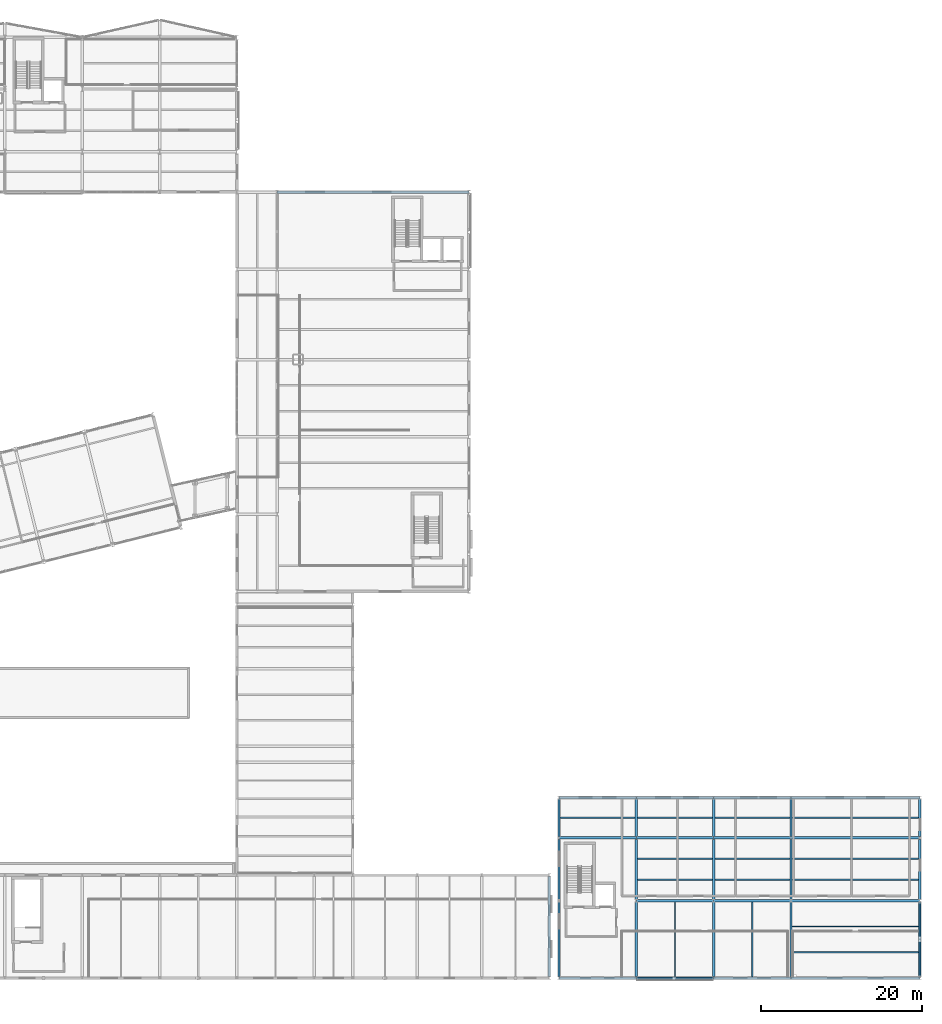
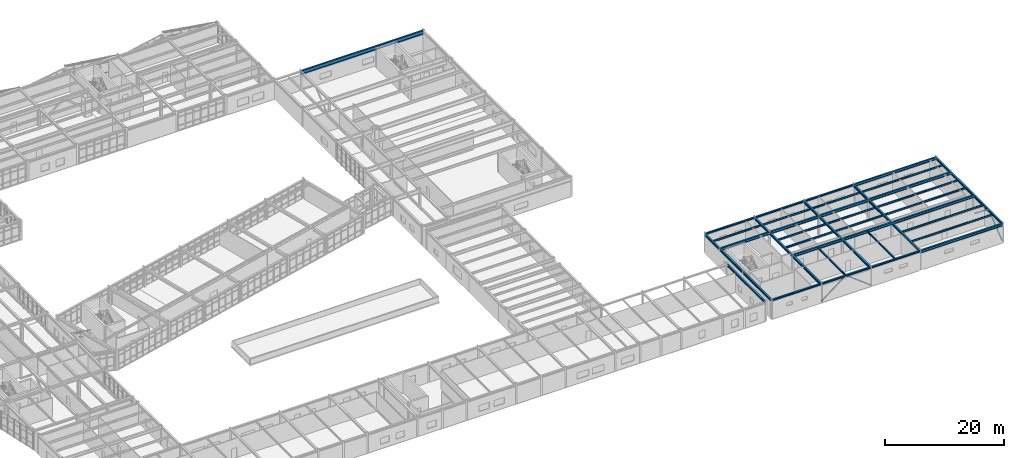
# One storey, part 56 of 99: 46 beams, 4 members.
"""IFC4 building model written with IfcOpenShell, lengths in metres."""

from ifc_helpers import new_model, si_unit, direction, frame, origin, origin_2d, place, context, subcontext, project, spatial, hollow_circle, i_section, extrude, material, material_profile, profile_set, type_object, element, save


model = new_model("IFC4")

# Units and contexts
model_context = context("Model", 3, precision=1e-05, world=origin(), true_north=direction((0.0, 1.0)))
body_context = subcontext(model_context, "Body", "Model", "MODEL_VIEW")
ifc_project = project(units=[si_unit("LENGTHUNIT", "METRE"), si_unit("AREAUNIT", "SQUARE_METRE"), si_unit("VOLUMEUNIT", "CUBIC_METRE"), si_unit("PLANEANGLEUNIT", "RADIAN"), si_unit("MASSUNIT", "GRAM", prefix="KILO")], contexts=[model_context])

# Site, building, storey
site_placement = place(None, origin())
site = spatial("IfcSite", under=ifc_project, at=site_placement, CompositionType="ELEMENT")
building_placement = place(site_placement, origin())
building = spatial("IfcBuilding", under=site, at=building_placement, Name="Nordkorset Police Headquarters", CompositionType="ELEMENT")
storey_placement = place(building_placement, frame((0.0, 0.0, 5.25)))
storey = spatial("IfcBuildingStorey", under=building, at=storey_placement, Name="L01", CompositionType="ELEMENT", Elevation=5.25)

# Beams
ifc_material_1 = material(Name="Steel S355J2", Category="steel")
ifc_material_profile_1 = material_profile(ifc_material_1, i_section(OverallWidth=0.169921875, OverallDepth=0.360107421875, WebThickness=0.008056640625, FlangeThickness=0.0126953125, FilletRadius=0.01806640625, at=origin_2d()), Name="IPE 360")
ifc_profile_set_1 = profile_set([ifc_material_profile_1], Name="Steel S355J2")
beam_type_1 = type_object("IfcBeamType", Name="Beam_IPE_360", PredefinedType="BEAM", material=ifc_profile_set_1)
for number, where, z_axis, x_axis, name in (
    (1, (126.550048828125, 19.89990234375, 3.784912109375), (1.0, 0.0, 0.0), (0.0, 1.0, 0.0), "Composite Floor Beam V6 L01 0-2-1"),
    (2, (140.800048828125, 0.14990234375, 3.780029296875), (0.0, 1.0, 0.0), (-1.0, 0.0, 0.0), "Composite Floor Beam V6 L01 1-0-1"),
    (3, (136.14990234375, 12.199951171875, 3.780029296875), (1.0, 0.0, 0.0), (0.0, 1.0, 0.0), "Composite Floor Beam V6 L01 1-1-1"),
    (4, (136.14990234375, 14.800048828125, 3.780029296875), (1.0, 0.0, 0.0), (0.0, 1.0, 0.0), "Composite Floor Beam V6 L01 1-1-2"),
    (5, (136.14990234375, 19.89990234375, 3.784912109375), (1.0, 0.0, 0.0), (0.0, 1.0, 0.0), "Composite Floor Beam V6 L01 1-2-1"),
    (6, (150.39990234375, 0.14990234375, 3.780029296875), (0.0, 1.0, 0.0), (-1.0, 0.0, 0.0), "Composite Floor Beam V6 L01 2-0-1"),
    (7, (145.75, 12.199951171875, 3.780029296875), (1.0, 0.0, 0.0), (0.0, 1.0, 0.0), "Composite Floor Beam V6 L01 2-1-1"),
    (8, (145.75, 14.800048828125, 3.780029296875), (1.0, 0.0, 0.0), (0.0, 1.0, 0.0), "Composite Floor Beam V6 L01 2-1-2"),
    (9, (145.75, 19.89990234375, 3.784912109375), (1.0, 0.0, 0.0), (0.0, 1.0, 0.0), "Composite Floor Beam V6 L01 2-2-1"),
):
    element("IfcBeam", number, at=place(storey_placement, frame(where, z_axis=z_axis, x_axis=x_axis)), inside=storey, type_object=beam_type_1, Name=name, PredefinedType="BEAM", context=body_context, shape_type="SweptSolid", body=[
        extrude(i_section(OverallWidth=0.169921875, OverallDepth=0.360107421875, WebThickness=0.008056640625, FlangeThickness=0.0126953125, FilletRadius=0.01806640625, at=origin_2d()), origin(), (0.0, 0.0, 1.0), 9.300048828125),
    ])
for number, where, z_axis, x_axis, name in (
    (10, (155.35009765625, 3.199951171875, 3.780029296875), (1.0, 0.0, 0.0), (0.0, 1.0, 0.0), "Composite Floor Beam V6 L01 3-0-1"),
    (11, (155.35009765625, 6.39990234375, 3.780029296875), (1.0, 0.0, 0.0), (0.0, 1.0, 0.0), "Composite Floor Beam V6 L01 3-0-2"),
    (12, (155.35009765625, 12.199951171875, 3.780029296875), (1.0, 0.0, 0.0), (0.0, 1.0, 0.0), "Composite Floor Beam V6 L01 3-1-1"),
    (13, (155.35009765625, 14.800048828125, 3.780029296875), (1.0, 0.0, 0.0), (0.0, 1.0, 0.0), "Composite Floor Beam V6 L01 3-1-2"),
    (14, (155.35009765625, 19.89990234375, 3.784912109375), (1.0, 0.0, 0.0), (0.0, 1.0, 0.0), "Composite Floor Beam V6 L01 3-2-1"),
):
    element("IfcBeam", number, at=place(storey_placement, frame(where, z_axis=z_axis, x_axis=x_axis)), inside=storey, type_object=beam_type_1, Name=name, PredefinedType="BEAM", context=body_context, shape_type="SweptSolid", body=[
        extrude(i_section(OverallWidth=0.169921875, OverallDepth=0.360107421875, WebThickness=0.008056640625, FlangeThickness=0.0126953125, FilletRadius=0.01806640625, at=origin_2d()), origin(), (0.0, 0.0, 1.0), 15.699951171875),
    ])

# Members
ifc_material_2 = material(Name="Steel S355J2", Category="steel")
ifc_material_profile_2 = material_profile(ifc_material_2, hollow_circle(Radius=0.136474609375, WallThickness=0.012451171875, at=origin_2d()), Name="CHS 273x12.5")
ifc_profile_set_2 = profile_set([ifc_material_profile_2], Name="Steel S355J2")
member_type = type_object("IfcMemberType", Name="Brace_CHS_273x12.5", PredefinedType="BRACE", material=ifc_profile_set_2)
for number, where, z_axis, x_axis, name in (
    (15, (136.006103515625, 0.0, 0.199951171875), (0.793388064902, 0.0, 0.608716172342), (0.0, 1.0, 0.0), "Lateral Chevron Brace BF-EXT-V6S L01 D1"),
    (16, (145.593994140625, 0.0, 0.199951171875), (-0.793388064902, 0.0, 0.608716172342), (0.0, -1.0, 0.0), "Lateral Chevron Brace BF-EXT-V6S L01 D2"),
):
    element("IfcMember", number, at=place(storey_placement, frame(where, z_axis=z_axis, x_axis=x_axis)), inside=storey, type_object=member_type, Name=name, PredefinedType="BRACE", context=body_context, shape_type="SweptSolid", body=[
        extrude(hollow_circle(Radius=0.136474609375, WallThickness=0.012451171875, at=origin_2d()), origin(), (0.0, 0.0, 1.0), 5.815673828125),
    ])
member_1_placement = place(storey_placement, frame((171.199951171875, 0.169921875, 0.199951171875), z_axis=(0.0, 0.782591546511, 0.622535518127), x_axis=(-1.0, 0.0, 0.0)))
element("IfcMember", 17, at=member_1_placement, inside=storey, type_object=member_type, Name="Lateral Chevron Brace BF-EXT-V6E L01 D1", PredefinedType="BRACE", context=body_context, shape_type="SweptSolid", body=[
    extrude(hollow_circle(Radius=0.136474609375, WallThickness=0.012451171875, at=origin_2d()), origin(), (0.0, 0.0, 1.0), 5.6865234375),
])
member_2_placement = place(storey_placement, frame((171.199951171875, 9.429931640625, 0.199951171875), z_axis=(0.0, -0.782574906781, 0.622556435416), x_axis=(1.0, 0.0, 0.0)))
element("IfcMember", 18, at=member_2_placement, inside=storey, type_object=member_type, Name="Lateral Chevron Brace BF-EXT-V6E L01 D2", PredefinedType="BRACE", context=body_context, shape_type="SweptSolid", body=[
    extrude(hollow_circle(Radius=0.136474609375, WallThickness=0.012451171875, at=origin_2d()), origin(), (0.0, 0.0, 1.0), 5.686279296875),
])

# Beams
ifc_material_3 = material(Name="Steel S355J2", Category="steel")
ifc_material_profile_3 = material_profile(ifc_material_3, i_section(OverallWidth=0.300048828125, OverallDepth=0.389892578125, WebThickness=0.010986328125, FlangeThickness=0.01904296875, FilletRadius=0.027099609375, at=origin_2d()), Name="HEA 400")
ifc_profile_set_3 = profile_set([ifc_material_profile_3], Name="Steel S355J2")
beam_type_2 = type_object("IfcBeamType", Name="Girder_HEA_400", PredefinedType="USERDEFINED", material=ifc_profile_set_3)
beam_1_placement = place(storey_placement, frame((125.199951171875, 0.169921875, 3.77001953125), z_axis=(0.0, 1.0, 0.0), x_axis=(-1.0, 0.0, 0.0)))
element("IfcBeam", 19, at=beam_1_placement, inside=storey, type_object=beam_type_2, Name="Girder V7S L01 GY-14-0", ObjectType="GIRDER", PredefinedType="USERDEFINED", context=body_context, shape_type="SweptSolid", body=[
    extrude(i_section(OverallWidth=0.300048828125, OverallDepth=0.389892578125, WebThickness=0.010986328125, FlangeThickness=0.01904296875, FilletRadius=0.027099609375, at=origin_2d()), origin(), (0.0, 0.0, 1.0), 12.4599609375),
])
ifc_material_4 = material(Name="Steel S355J2", Category="steel")
ifc_material_profile_4 = material_profile(ifc_material_4, i_section(OverallWidth=0.300048828125, OverallDepth=0.43994140625, WebThickness=0.011474609375, FlangeThickness=0.02099609375, FilletRadius=0.027099609375, at=origin_2d()), Name="HEA 450")
ifc_profile_set_4 = profile_set([ifc_material_profile_4], Name="Steel S355J2")
beam_type_3 = type_object("IfcBeamType", Name="Girder_HEA_450", PredefinedType="USERDEFINED", material=ifc_profile_set_4)
beam_2_placement = place(storey_placement, frame((126.39990234375, 0.169921875, 3.739990234375), z_axis=(0.0, 1.0, 0.0), x_axis=(-1.0, 0.0, 0.0)))
element("IfcBeam", 20, at=beam_2_placement, inside=storey, type_object=beam_type_3, Name="Girder V6 L01 GY-0-0", ObjectType="GIRDER", PredefinedType="USERDEFINED", context=body_context, shape_type="SweptSolid", body=[
    extrude(i_section(OverallWidth=0.300048828125, OverallDepth=0.43994140625, WebThickness=0.011474609375, FlangeThickness=0.02099609375, FilletRadius=0.027099609375, at=origin_2d()), origin(), (0.0, 0.0, 1.0), 9.260009765625),
])
beam_3_placement = place(storey_placement, frame((126.39990234375, 9.77001953125, 3.739990234375), z_axis=(0.0, 1.0, 0.0), x_axis=(-1.0, 0.0, 0.0)))
element("IfcBeam", 21, at=beam_3_placement, inside=storey, type_object=beam_type_3, Name="Girder V6 L01 GY-0-1", ObjectType="GIRDER", PredefinedType="USERDEFINED", context=body_context, shape_type="SweptSolid", body=[
    extrude(i_section(OverallWidth=0.300048828125, OverallDepth=0.43994140625, WebThickness=0.011474609375, FlangeThickness=0.02099609375, FilletRadius=0.027099609375, at=origin_2d()), origin(), (0.0, 0.0, 1.0), 7.4599609375),
])
beam_4_placement = place(storey_placement, frame((126.39990234375, 17.570068359375, 3.7451171875), z_axis=(0.0, 1.0, 0.0), x_axis=(-1.0, 0.0, 0.0)))
element("IfcBeam", 22, at=beam_4_placement, inside=storey, type_object=beam_type_3, Name="Girder V6 L01 GY-0-2", ObjectType="GIRDER", PredefinedType="USERDEFINED", context=body_context, shape_type="SweptSolid", body=[
    extrude(i_section(OverallWidth=0.300048828125, OverallDepth=0.43994140625, WebThickness=0.011474609375, FlangeThickness=0.02099609375, FilletRadius=0.027099609375, at=origin_2d()), origin(), (0.0, 0.0, 1.0), 4.659912109375),
])
beam_5_placement = place(storey_placement, frame((136.0, 0.169921875, 3.739990234375), z_axis=(0.0, 1.0, 0.0), x_axis=(-1.0, 0.0, 0.0)))
element("IfcBeam", 23, at=beam_5_placement, inside=storey, type_object=beam_type_3, Name="Girder V6 L01 GY-1-0", ObjectType="GIRDER", PredefinedType="USERDEFINED", context=body_context, shape_type="SweptSolid", body=[
    extrude(i_section(OverallWidth=0.300048828125, OverallDepth=0.43994140625, WebThickness=0.011474609375, FlangeThickness=0.02099609375, FilletRadius=0.027099609375, at=origin_2d()), origin(), (0.0, 0.0, 1.0), 9.260009765625),
])
beam_6_placement = place(storey_placement, frame((136.0, 9.77001953125, 3.739990234375), z_axis=(0.0, 1.0, 0.0), x_axis=(-1.0, 0.0, 0.0)))
element("IfcBeam", 24, at=beam_6_placement, inside=storey, type_object=beam_type_3, Name="Girder V6 L01 GY-1-1", ObjectType="GIRDER", PredefinedType="USERDEFINED", context=body_context, shape_type="SweptSolid", body=[
    extrude(i_section(OverallWidth=0.300048828125, OverallDepth=0.43994140625, WebThickness=0.011474609375, FlangeThickness=0.02099609375, FilletRadius=0.027099609375, at=origin_2d()), origin(), (0.0, 0.0, 1.0), 7.4599609375),
])
beam_7_placement = place(storey_placement, frame((136.0, 17.570068359375, 3.7451171875), z_axis=(0.0, 1.0, 0.0), x_axis=(-1.0, 0.0, 0.0)))
element("IfcBeam", 25, at=beam_7_placement, inside=storey, type_object=beam_type_3, Name="Girder V6 L01 GY-1-2", ObjectType="GIRDER", PredefinedType="USERDEFINED", context=body_context, shape_type="SweptSolid", body=[
    extrude(i_section(OverallWidth=0.300048828125, OverallDepth=0.43994140625, WebThickness=0.011474609375, FlangeThickness=0.02099609375, FilletRadius=0.027099609375, at=origin_2d()), origin(), (0.0, 0.0, 1.0), 4.659912109375),
])
beam_8_placement = place(storey_placement, frame((145.60009765625, 0.169921875, 3.739990234375), z_axis=(0.0, 1.0, 0.0), x_axis=(-1.0, 0.0, 0.0)))
element("IfcBeam", 26, at=beam_8_placement, inside=storey, type_object=beam_type_3, Name="Girder V6 L01 GY-2-0", ObjectType="GIRDER", PredefinedType="USERDEFINED", context=body_context, shape_type="SweptSolid", body=[
    extrude(i_section(OverallWidth=0.300048828125, OverallDepth=0.43994140625, WebThickness=0.011474609375, FlangeThickness=0.02099609375, FilletRadius=0.027099609375, at=origin_2d()), origin(), (0.0, 0.0, 1.0), 9.260009765625),
])
beam_9_placement = place(storey_placement, frame((145.60009765625, 9.77001953125, 3.739990234375), z_axis=(0.0, 1.0, 0.0), x_axis=(-1.0, 0.0, 0.0)))
element("IfcBeam", 27, at=beam_9_placement, inside=storey, type_object=beam_type_3, Name="Girder V6 L01 GY-2-1", ObjectType="GIRDER", PredefinedType="USERDEFINED", context=body_context, shape_type="SweptSolid", body=[
    extrude(i_section(OverallWidth=0.300048828125, OverallDepth=0.43994140625, WebThickness=0.011474609375, FlangeThickness=0.02099609375, FilletRadius=0.027099609375, at=origin_2d()), origin(), (0.0, 0.0, 1.0), 7.4599609375),
])
beam_10_placement = place(storey_placement, frame((145.60009765625, 17.570068359375, 3.7451171875), z_axis=(0.0, 1.0, 0.0), x_axis=(-1.0, 0.0, 0.0)))
element("IfcBeam", 28, at=beam_10_placement, inside=storey, type_object=beam_type_3, Name="Girder V6 L01 GY-2-2", ObjectType="GIRDER", PredefinedType="USERDEFINED", context=body_context, shape_type="SweptSolid", body=[
    extrude(i_section(OverallWidth=0.300048828125, OverallDepth=0.43994140625, WebThickness=0.011474609375, FlangeThickness=0.02099609375, FilletRadius=0.027099609375, at=origin_2d()), origin(), (0.0, 0.0, 1.0), 4.659912109375),
])
beam_11_placement = place(storey_placement, frame((155.199951171875, 0.169921875, 3.739990234375), z_axis=(0.0, 1.0, 0.0), x_axis=(-1.0, 0.0, 0.0)))
element("IfcBeam", 29, at=beam_11_placement, inside=storey, type_object=beam_type_3, Name="Girder V6 L01 GY-3-0", ObjectType="GIRDER", PredefinedType="USERDEFINED", context=body_context, shape_type="SweptSolid", body=[
    extrude(i_section(OverallWidth=0.300048828125, OverallDepth=0.43994140625, WebThickness=0.011474609375, FlangeThickness=0.02099609375, FilletRadius=0.027099609375, at=origin_2d()), origin(), (0.0, 0.0, 1.0), 9.260009765625),
])
beam_12_placement = place(storey_placement, frame((155.199951171875, 9.77001953125, 3.739990234375), z_axis=(0.0, 1.0, 0.0), x_axis=(-1.0, 0.0, 0.0)))
element("IfcBeam", 30, at=beam_12_placement, inside=storey, type_object=beam_type_3, Name="Girder V6 L01 GY-3-1", ObjectType="GIRDER", PredefinedType="USERDEFINED", context=body_context, shape_type="SweptSolid", body=[
    extrude(i_section(OverallWidth=0.300048828125, OverallDepth=0.43994140625, WebThickness=0.011474609375, FlangeThickness=0.02099609375, FilletRadius=0.027099609375, at=origin_2d()), origin(), (0.0, 0.0, 1.0), 7.4599609375),
])
beam_13_placement = place(storey_placement, frame((155.199951171875, 17.570068359375, 3.7451171875), z_axis=(0.0, 1.0, 0.0), x_axis=(-1.0, 0.0, 0.0)))
element("IfcBeam", 31, at=beam_13_placement, inside=storey, type_object=beam_type_3, Name="Girder V6 L01 GY-3-2", ObjectType="GIRDER", PredefinedType="USERDEFINED", context=body_context, shape_type="SweptSolid", body=[
    extrude(i_section(OverallWidth=0.300048828125, OverallDepth=0.43994140625, WebThickness=0.011474609375, FlangeThickness=0.02099609375, FilletRadius=0.027099609375, at=origin_2d()), origin(), (0.0, 0.0, 1.0), 4.659912109375),
])
beam_14_placement = place(storey_placement, frame((171.199951171875, 0.169921875, 3.739990234375), z_axis=(0.0, 1.0, 0.0), x_axis=(-1.0, 0.0, 0.0)))
element("IfcBeam", 32, at=beam_14_placement, inside=storey, type_object=beam_type_3, Name="Girder V6 L01 GY-4-0", ObjectType="GIRDER", PredefinedType="USERDEFINED", context=body_context, shape_type="SweptSolid", body=[
    extrude(i_section(OverallWidth=0.300048828125, OverallDepth=0.43994140625, WebThickness=0.011474609375, FlangeThickness=0.02099609375, FilletRadius=0.027099609375, at=origin_2d()), origin(), (0.0, 0.0, 1.0), 9.260009765625),
])
beam_15_placement = place(storey_placement, frame((171.199951171875, 9.77001953125, 3.739990234375), z_axis=(0.0, 1.0, 0.0), x_axis=(-1.0, 0.0, 0.0)))
element("IfcBeam", 33, at=beam_15_placement, inside=storey, type_object=beam_type_3, Name="Girder V6 L01 GY-4-1", ObjectType="GIRDER", PredefinedType="USERDEFINED", context=body_context, shape_type="SweptSolid", body=[
    extrude(i_section(OverallWidth=0.300048828125, OverallDepth=0.43994140625, WebThickness=0.011474609375, FlangeThickness=0.02099609375, FilletRadius=0.027099609375, at=origin_2d()), origin(), (0.0, 0.0, 1.0), 7.4599609375),
])
beam_16_placement = place(storey_placement, frame((171.199951171875, 17.570068359375, 3.7451171875), z_axis=(0.0, 1.0, 0.0), x_axis=(-1.0, 0.0, 0.0)))
element("IfcBeam", 34, at=beam_16_placement, inside=storey, type_object=beam_type_3, Name="Girder V6 L01 GY-4-2", ObjectType="GIRDER", PredefinedType="USERDEFINED", context=body_context, shape_type="SweptSolid", body=[
    extrude(i_section(OverallWidth=0.300048828125, OverallDepth=0.43994140625, WebThickness=0.011474609375, FlangeThickness=0.02099609375, FilletRadius=0.027099609375, at=origin_2d()), origin(), (0.0, 0.0, 1.0), 4.659912109375),
])
ifc_material_5 = material(Name="Steel S355J2", Category="steel")
ifc_material_profile_5 = material_profile(ifc_material_5, i_section(OverallWidth=0.300048828125, OverallDepth=0.5400390625, WebThickness=0.012451171875, FlangeThickness=0.02392578125, FilletRadius=0.027099609375, at=origin_2d()), Name="HEA 550")
ifc_profile_set_5 = profile_set([ifc_material_profile_5], Name="Steel S355J2")
beam_type_4 = type_object("IfcBeamType", Name="Girder_HEA_550", PredefinedType="USERDEFINED", material=ifc_profile_set_5)
beam_17_placement = place(storey_placement, frame((155.2060546875, 0.0, 3.68994140625), z_axis=(1.0, 0.0, 0.0), x_axis=(0.0, 1.0, 0.0)))
element("IfcBeam", 35, at=beam_17_placement, inside=storey, type_object=beam_type_4, Name="Girder V6 L01 GX-0-3", ObjectType="GIRDER", PredefinedType="USERDEFINED", context=body_context, shape_type="SweptSolid", body=[
    extrude(i_section(OverallWidth=0.300048828125, OverallDepth=0.5400390625, WebThickness=0.012451171875, FlangeThickness=0.02392578125, FilletRadius=0.027099609375, at=origin_2d()), origin(), (0.0, 0.0, 1.0), 15.988037109375),
])
beam_18_placement = place(storey_placement, frame((136.006103515625, 9.60009765625, 3.68994140625), z_axis=(1.0, 0.0, 0.0), x_axis=(0.0, 1.0, 0.0)))
element("IfcBeam", 36, at=beam_18_placement, inside=storey, type_object=beam_type_4, Name="Girder V6 L01 GX-1-1", ObjectType="GIRDER", PredefinedType="USERDEFINED", context=body_context, shape_type="SweptSolid", body=[
    extrude(i_section(OverallWidth=0.300048828125, OverallDepth=0.5400390625, WebThickness=0.012451171875, FlangeThickness=0.02392578125, FilletRadius=0.027099609375, at=origin_2d()), origin(), (0.0, 0.0, 1.0), 9.587890625),
])
beam_19_placement = place(storey_placement, frame((145.60595703125, 9.60009765625, 3.68994140625), z_axis=(1.0, 0.0, 0.0), x_axis=(0.0, 1.0, 0.0)))
element("IfcBeam", 37, at=beam_19_placement, inside=storey, type_object=beam_type_4, Name="Girder V6 L01 GX-1-2", ObjectType="GIRDER", PredefinedType="USERDEFINED", context=body_context, shape_type="SweptSolid", body=[
    extrude(i_section(OverallWidth=0.300048828125, OverallDepth=0.5400390625, WebThickness=0.012451171875, FlangeThickness=0.02392578125, FilletRadius=0.027099609375, at=origin_2d()), origin(), (0.0, 0.0, 1.0), 9.588134765625),
])
beam_20_placement = place(storey_placement, frame((155.2060546875, 9.60009765625, 3.68994140625), z_axis=(1.0, 0.0, 0.0), x_axis=(0.0, 1.0, 0.0)))
element("IfcBeam", 38, at=beam_20_placement, inside=storey, type_object=beam_type_4, Name="Girder V6 L01 GX-1-3", ObjectType="GIRDER", PredefinedType="USERDEFINED", context=body_context, shape_type="SweptSolid", body=[
    extrude(i_section(OverallWidth=0.300048828125, OverallDepth=0.5400390625, WebThickness=0.012451171875, FlangeThickness=0.02392578125, FilletRadius=0.027099609375, at=origin_2d()), origin(), (0.0, 0.0, 1.0), 15.988037109375),
])
for number, where, z_axis, x_axis, name in (
    (39, (126.406005859375, 17.39990234375, 3.68994140625), (1.0, 0.0, 0.0), (0.0, 1.0, 0.0), "Girder V6 L01 GX-2-0"),
    (40, (136.006103515625, 17.39990234375, 3.68994140625), (1.0, 0.0, 0.0), (0.0, 1.0, 0.0), "Girder V6 L01 GX-2-1"),
):
    element("IfcBeam", number, at=place(storey_placement, frame(where, z_axis=z_axis, x_axis=x_axis)), inside=storey, type_object=beam_type_4, Name=name, ObjectType="GIRDER", PredefinedType="USERDEFINED", context=body_context, shape_type="SweptSolid", body=[
        extrude(i_section(OverallWidth=0.300048828125, OverallDepth=0.5400390625, WebThickness=0.012451171875, FlangeThickness=0.02392578125, FilletRadius=0.027099609375, at=origin_2d()), origin(), (0.0, 0.0, 1.0), 9.587890625),
    ])
beam_21_placement = place(storey_placement, frame((145.60595703125, 17.39990234375, 3.68994140625), z_axis=(1.0, 0.0, 0.0), x_axis=(0.0, 1.0, 0.0)))
element("IfcBeam", 41, at=beam_21_placement, inside=storey, type_object=beam_type_4, Name="Girder V6 L01 GX-2-2", ObjectType="GIRDER", PredefinedType="USERDEFINED", context=body_context, shape_type="SweptSolid", body=[
    extrude(i_section(OverallWidth=0.300048828125, OverallDepth=0.5400390625, WebThickness=0.012451171875, FlangeThickness=0.02392578125, FilletRadius=0.027099609375, at=origin_2d()), origin(), (0.0, 0.0, 1.0), 9.588134765625),
])
for number, where, z_axis, x_axis, name in (
    (42, (155.2060546875, 17.39990234375, 3.68994140625), (1.0, 0.0, 0.0), (0.0, 1.0, 0.0), "Girder V6 L01 GX-2-3"),
    (43, (155.2060546875, 22.39990234375, 3.695068359375), (1.0, 0.0, 0.0), (0.0, 1.0, 0.0), "Girder V6 L01 GX-3-3"),
):
    element("IfcBeam", number, at=place(storey_placement, frame(where, z_axis=z_axis, x_axis=x_axis)), inside=storey, type_object=beam_type_4, Name=name, ObjectType="GIRDER", PredefinedType="USERDEFINED", context=body_context, shape_type="SweptSolid", body=[
        extrude(i_section(OverallWidth=0.300048828125, OverallDepth=0.5400390625, WebThickness=0.012451171875, FlangeThickness=0.02392578125, FilletRadius=0.027099609375, at=origin_2d()), origin(), (0.0, 0.0, 1.0), 15.988037109375),
    ])
ifc_material_6 = material(Name="Steel S355J2", Category="steel")
ifc_material_profile_6 = material_profile(ifc_material_6, i_section(OverallWidth=0.300048828125, OverallDepth=0.800048828125, WebThickness=0.017578125, FlangeThickness=0.032958984375, FilletRadius=0.030029296875, at=origin_2d()), Name="HEB 800")
ifc_profile_set_6 = profile_set([ifc_material_profile_6], Name="Steel S355J2")
beam_type_5 = type_object("IfcBeamType", Name="Girder_HEB_800", PredefinedType="USERDEFINED", material=ifc_profile_set_6)
beam_22_placement = place(storey_placement, frame((91.40673828125, 97.60009765625, 3.56005859375), z_axis=(1.0, 0.0, 0.0), x_axis=(0.0, 1.0, 0.0)))
element("IfcBeam", 44, at=beam_22_placement, inside=storey, type_object=beam_type_5, Name="Girder V5 L01 GX-5-1", ObjectType="GIRDER", PredefinedType="USERDEFINED", context=body_context, shape_type="SweptSolid", body=[
    extrude(i_section(OverallWidth=0.300048828125, OverallDepth=0.800048828125, WebThickness=0.017578125, FlangeThickness=0.032958984375, FilletRadius=0.030029296875, at=origin_2d()), origin(), (0.0, 0.0, 1.0), 23.78662109375),
])
ifc_material_7 = material(Name="Steel S355J2", Category="steel")
ifc_material_profile_7 = material_profile(ifc_material_7, i_section(OverallWidth=0.300048828125, OverallDepth=0.31005859375, WebThickness=0.009033203125, FlangeThickness=0.015380859375, FilletRadius=0.027099609375, at=origin_2d()), Name="HEA 320")
ifc_profile_set_7 = profile_set([ifc_material_profile_7], Name="Steel S355J2")
beam_type_6 = type_object("IfcBeamType", Name="Spandrel_HEA_320", PredefinedType="SPANDREL", material=ifc_profile_set_7)
for number, where, z_axis, x_axis, name in (
    (45, (126.406005859375, 0.0, 3.804931640625), (1.0, 0.0, 0.0), (0.0, 1.0, 0.0), "Girder V6 L01 GX-0-0"),
    (46, (136.006103515625, 0.0, 3.804931640625), (1.0, 0.0, 0.0), (0.0, 1.0, 0.0), "Girder V6 L01 GX-0-1"),
):
    element("IfcBeam", number, at=place(storey_placement, frame(where, z_axis=z_axis, x_axis=x_axis)), inside=storey, type_object=beam_type_6, Name=name, PredefinedType="SPANDREL", context=body_context, shape_type="SweptSolid", body=[
        extrude(i_section(OverallWidth=0.300048828125, OverallDepth=0.31005859375, WebThickness=0.009033203125, FlangeThickness=0.015380859375, FilletRadius=0.027099609375, at=origin_2d()), origin(), (0.0, 0.0, 1.0), 9.587890625),
    ])
beam_23_placement = place(storey_placement, frame((145.60595703125, 0.0, 3.804931640625), z_axis=(1.0, 0.0, 0.0), x_axis=(0.0, 1.0, 0.0)))
element("IfcBeam", 47, at=beam_23_placement, inside=storey, type_object=beam_type_6, Name="Girder V6 L01 GX-0-2", PredefinedType="SPANDREL", context=body_context, shape_type="SweptSolid", body=[
    extrude(i_section(OverallWidth=0.300048828125, OverallDepth=0.31005859375, WebThickness=0.009033203125, FlangeThickness=0.015380859375, FilletRadius=0.027099609375, at=origin_2d()), origin(), (0.0, 0.0, 1.0), 9.588134765625),
])
for number, where, z_axis, x_axis, name in (
    (48, (126.406005859375, 22.39990234375, 3.81005859375), (1.0, 0.0, 0.0), (0.0, 1.0, 0.0), "Girder V6 L01 GX-3-0"),
    (49, (136.006103515625, 22.39990234375, 3.81005859375), (1.0, 0.0, 0.0), (0.0, 1.0, 0.0), "Girder V6 L01 GX-3-1"),
):
    element("IfcBeam", number, at=place(storey_placement, frame(where, z_axis=z_axis, x_axis=x_axis)), inside=storey, type_object=beam_type_6, Name=name, PredefinedType="SPANDREL", context=body_context, shape_type="SweptSolid", body=[
        extrude(i_section(OverallWidth=0.300048828125, OverallDepth=0.31005859375, WebThickness=0.009033203125, FlangeThickness=0.015380859375, FilletRadius=0.027099609375, at=origin_2d()), origin(), (0.0, 0.0, 1.0), 9.587890625),
    ])
beam_24_placement = place(storey_placement, frame((145.60595703125, 22.39990234375, 3.81005859375), z_axis=(1.0, 0.0, 0.0), x_axis=(0.0, 1.0, 0.0)))
element("IfcBeam", 50, at=beam_24_placement, inside=storey, type_object=beam_type_6, Name="Girder V6 L01 GX-3-2", PredefinedType="SPANDREL", context=body_context, shape_type="SweptSolid", body=[
    extrude(i_section(OverallWidth=0.300048828125, OverallDepth=0.31005859375, WebThickness=0.009033203125, FlangeThickness=0.015380859375, FilletRadius=0.027099609375, at=origin_2d()), origin(), (0.0, 0.0, 1.0), 9.588134765625),
])

save(model, "model.ifc")
